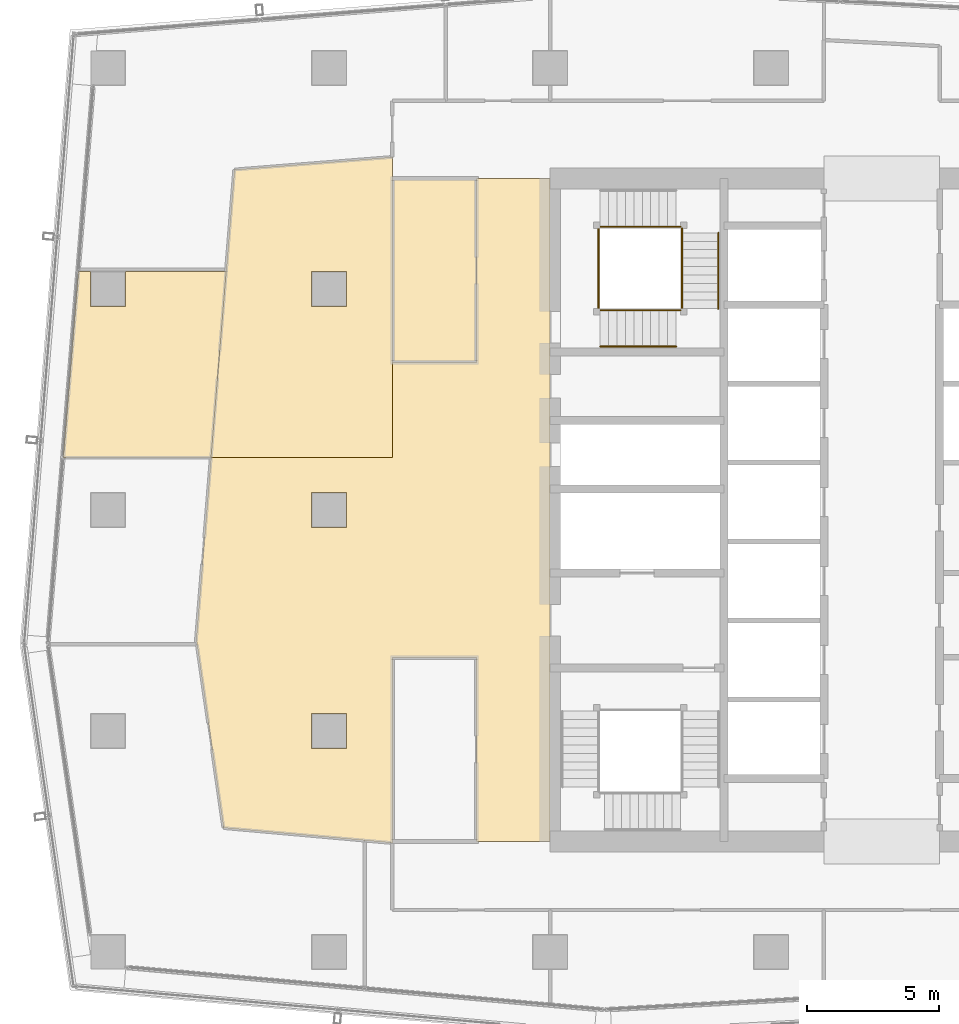
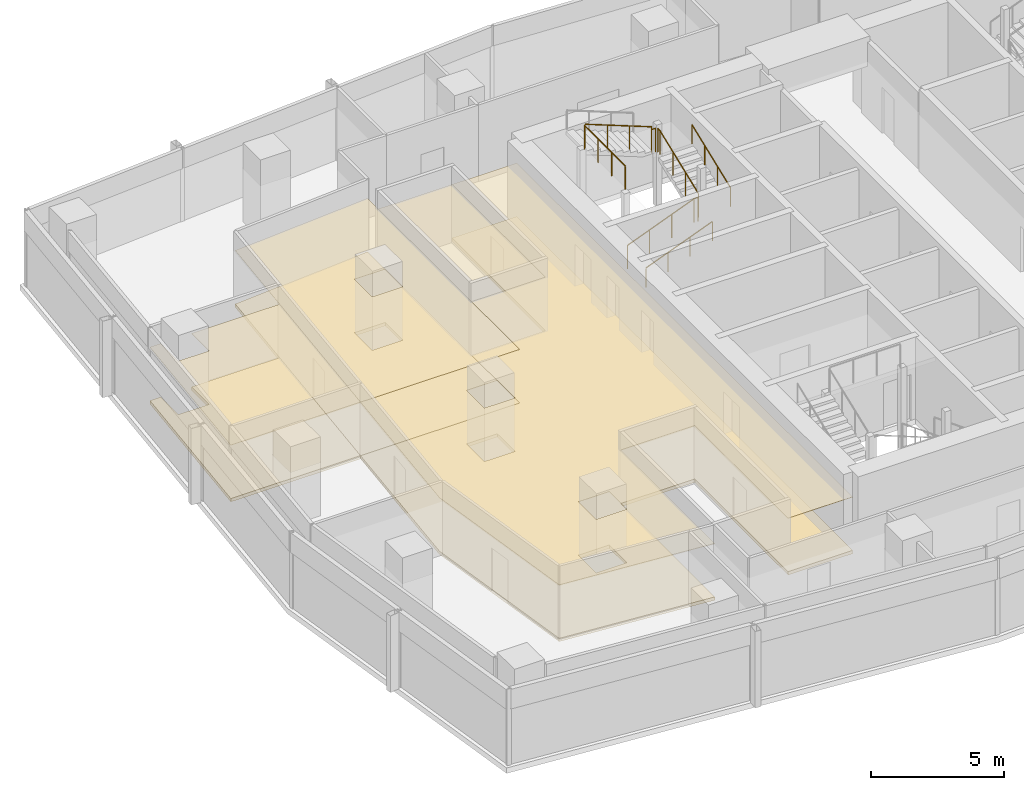
# One storey, part 27 of 29: 9 railings, 7 coverings.
"""IFC4 building model written with IfcOpenShell, lengths in metres."""

from ifc_helpers import new_model, si_unit, direction, frame, origin, origin_2d, place, context, subcontext, project, spatial, polyline, circle, outline, extrude, material, layer, layer_set, type_object, element, save


model = new_model("IFC4")

# Units and contexts
model_context = context("Model", 3, precision=1e-05, world=origin(), true_north=direction((0.0, 1.0)))
body_context = subcontext(model_context, "Body", "Model", "MODEL_VIEW")
ifc_project = project(units=[si_unit("LENGTHUNIT", "METRE"), si_unit("AREAUNIT", "SQUARE_METRE"), si_unit("VOLUMEUNIT", "CUBIC_METRE"), si_unit("PLANEANGLEUNIT", "RADIAN"), si_unit("MASSUNIT", "GRAM", prefix="KILO")], contexts=[model_context])

# Site, building, storey
site_placement = place(None, origin())
site = spatial("IfcSite", under=ifc_project, at=site_placement, CompositionType="ELEMENT")
building_placement = place(site_placement, origin())
building = spatial("IfcBuilding", under=site, at=building_placement, Name="Rekha Terrace Tower", CompositionType="ELEMENT")
storey_placement = place(building_placement, frame((0.0, 0.0, 276.35009765625)))
storey = spatial("IfcBuildingStorey", under=building, at=storey_placement, Name="L70", CompositionType="ELEMENT", Elevation=276.35009765625)

# Coverings
ifc_material_1 = material(Name="Mineral fibre tile in exposed grid", Category="finish")
ifc_layer_1 = layer(ifc_material_1, 0.02001953125)
ifc_layer_set_1 = layer_set([ifc_layer_1], Name="Mineral fibre tile in exposed grid")
covering_type_1 = type_object("IfcCoveringType", Name="CL1 600x1200 office grid ceiling", PredefinedType="CEILING", material=ifc_layer_set_1)
covering_1_placement = place(storey_placement, frame((0.0, 0.0, 2.579833984375)))
element("IfcCovering", 1, at=covering_1_placement, inside=storey, type_object=covering_type_1, Name="Ceiling L70-07", PredefinedType="CEILING", context=body_context, shape_type="SweptSolid", body=[
    extrude(outline(polyline([(7.735107421875, 42.656005859375), (7.26611328125, 42.656005859375), (6.69091796875, 35.590087890625), (12.30908203125, 35.590087890625), (12.884033203125, 42.656005859375), (9.06494140625, 42.656005859375), (9.06494140625, 41.3349609375), (7.735107421875, 41.3349609375), (7.735107421875, 42.656005859375)])), origin(), (0.0, 0.0, 1.0), 0.02001953125),
])
covering_2_placement = place(storey_placement, frame((0.0, 0.0, 2.579833984375)))
element("IfcCovering", 2, at=covering_2_placement, inside=storey, type_object=covering_type_1, Name="Ceiling L70-O1c", PredefinedType="CEILING", context=body_context, shape_type="SweptSolid", body=[
    extrude(outline(polyline([(13.198974609375, 46.530029296875), (12.884033203125, 42.656005859375), (12.30908203125, 35.590087890625), (19.199951171875, 35.590087890625), (19.199951171875, 47.008056640625), (13.198974609375, 46.530029296875)]), holes=[polyline([(17.465087890625, 41.3349609375), (16.135009765625, 41.3349609375), (16.135009765625, 42.6650390625), (17.465087890625, 42.6650390625), (17.465087890625, 41.3349609375)])]), origin(), (0.0, 0.0, 1.0), 0.02001953125),
])
covering_3_placement = place(storey_placement, frame((0.0, 0.0, 2.579833984375)))
element("IfcCovering", 3, at=covering_3_placement, inside=storey, type_object=covering_type_1, Name="Ceiling L70-O2", PredefinedType="CEILING", context=body_context, shape_type="SweptSolid", body=[
    extrude(outline(polyline([(11.7490234375, 28.698974609375), (11.779052734375, 28.491943359375), (12.787109375, 21.51806640625), (18.14990234375, 21.041015625), (19.199951171875, 20.947998046875), (19.199951171875, 28.0), (22.39990234375, 28.0), (22.39990234375, 21.0), (25.199951171875, 21.0), (25.199951171875, 46.199951171875), (22.39990234375, 46.199951171875), (22.39990234375, 39.199951171875), (19.199951171875, 39.199951171875), (19.199951171875, 35.590087890625), (12.30908203125, 35.590087890625), (11.7490234375, 28.698974609375)]), holes=[polyline([(17.465087890625, 25.864990234375), (17.465087890625, 24.534912109375), (16.135009765625, 24.534912109375), (16.135009765625, 25.864990234375), (17.465087890625, 25.864990234375)]), polyline([(17.465087890625, 34.264892578125), (17.465087890625, 32.93505859375), (16.135009765625, 32.93505859375), (16.135009765625, 34.264892578125), (17.465087890625, 34.264892578125)])]), origin(), (0.0, 0.0, 1.0), 0.02001953125),
])
ifc_material_2 = material(Name="Fibre cement board", Category="finish")
ifc_layer_2 = layer(ifc_material_2, 0.014892578125)
ifc_layer_set_2 = layer_set([ifc_layer_2], Name="Fibre cement board")
covering_type_2 = type_object("IfcCoveringType", Name="CL2 moisture-resistant board ceiling", PredefinedType="CEILING", material=ifc_layer_set_2)
covering_4_placement = place(storey_placement, frame((0.0, 0.0, 2.5849609375)))
element("IfcCovering", 4, at=covering_4_placement, inside=storey, type_object=covering_type_2, Name="Ceiling L70-WCF2", PredefinedType="CEILING", context=body_context, shape_type="SweptSolid", body=[
    extrude(outline(polyline([(22.39990234375, 46.199951171875), (19.199951171875, 46.199951171875), (19.199951171875, 39.199951171875), (22.39990234375, 39.199951171875), (22.39990234375, 46.199951171875)])), origin(), (0.0, 0.0, 1.0), 0.014892578125),
])

# Railings
ifc_material_3 = material(Name="Stainless steel balustrade", Category="steel")
railing_type_1 = type_object("IfcRailingType", Name="GR1 1100 stair guard", PredefinedType="GUARDRAIL", material=ifc_material_3)
railing_1_placement = place(storey_placement, frame((27.10009765625, 41.18994140625, 0.125)))
element("IfcRailing", 5, at=railing_1_placement, inside=storey, type_object=railing_type_1, Name="Guard ST4 L70 flight 1", PredefinedType="GUARDRAIL", context=body_context, shape_type="SweptSolid", body=[
    extrude(circle(Radius=0.02392578125, at=origin_2d()), frame((0.0, 0.0, 1.076171875), z_axis=(0.931452331594, 0.0, 0.363863372667), x_axis=(0.0, 1.0, 0.0)), (0.0, 0.0, 1.0), 3.091796875),
    extrude(circle(Radius=0.02099609375, at=origin_2d()), origin(), (0.0, 0.0, 1.0), 1.052001953125),
    extrude(circle(Radius=0.02099609375, at=origin_2d()), frame((0.9599609375, 0.0, 0.375)), (0.0, 0.0, 1.0), 1.052001953125),
    extrude(circle(Radius=0.02099609375, at=origin_2d()), frame((1.919921875, 0.0, 0.75)), (0.0, 0.0, 1.0), 1.052001953125),
    extrude(circle(Radius=0.02099609375, at=origin_2d()), frame((2.8798828125, 0.0, 1.125)), (0.0, 0.0, 1.0), 1.052001953125),
])
railing_2_placement = place(storey_placement, frame((30.2099609375, 41.25, 1.375)))
element("IfcRailing", 6, at=railing_2_placement, inside=storey, type_object=railing_type_1, Name="Guard ST4 L70 flight 2", PredefinedType="GUARDRAIL", context=body_context, shape_type="SweptSolid", body=[
    extrude(circle(Radius=0.02392578125, at=origin_2d()), frame((0.0, 0.0, 1.076171875), z_axis=(0.0, 0.931452331594, 0.363863372667), x_axis=(-1.0, 0.0, 0.0)), (0.0, 0.0, 1.0), 3.091796875),
    extrude(circle(Radius=0.02099609375, at=origin_2d()), origin(), (0.0, 0.0, 1.0), 1.052001953125),
    extrude(circle(Radius=0.02099609375, at=origin_2d()), frame((0.0, 0.9599609375, 0.375)), (0.0, 0.0, 1.0), 1.052001953125),
    extrude(circle(Radius=0.02099609375, at=origin_2d()), frame((0.0, 1.919921875, 0.75)), (0.0, 0.0, 1.0), 1.052001953125),
    extrude(circle(Radius=0.02099609375, at=origin_2d()), frame((0.0, 2.8798828125, 1.125)), (0.0, 0.0, 1.0), 1.052001953125),
])
railing_3_placement = place(storey_placement, frame((29.97998046875, 44.360107421875, 2.625)))
element("IfcRailing", 7, at=railing_3_placement, inside=storey, type_object=railing_type_1, Name="Guard ST4 L70 flight 3", PredefinedType="GUARDRAIL", context=body_context, shape_type="SweptSolid", body=[
    extrude(circle(Radius=0.02392578125, at=origin_2d()), frame((0.0, 0.0, 1.076171875), z_axis=(-0.931452331594, 0.0, 0.363863372667), x_axis=(0.0, -1.0, 0.0)), (0.0, 0.0, 1.0), 3.091796875),
    extrude(circle(Radius=0.02099609375, at=origin_2d()), origin(), (0.0, 0.0, 1.0), 1.052001953125),
    extrude(circle(Radius=0.02099609375, at=origin_2d()), frame((-0.9599609375, 0.0, 0.375)), (0.0, 0.0, 1.0), 1.052001953125),
    extrude(circle(Radius=0.02099609375, at=origin_2d()), frame((-1.919921875, 0.0, 0.75)), (0.0, 0.0, 1.0), 1.052001953125),
    extrude(circle(Radius=0.02099609375, at=origin_2d()), frame((-2.8798828125, 0.0, 1.125)), (0.0, 0.0, 1.0), 1.052001953125),
])
railing_4_placement = place(storey_placement, frame((29.97998046875, 41.18994140625, 1.25)))
element("IfcRailing", 8, at=railing_4_placement, inside=storey, type_object=railing_type_1, Name="Guard ST4 L70 landing 1", PredefinedType="GUARDRAIL", context=body_context, shape_type="SweptSolid", body=[
    extrude(circle(Radius=0.02392578125, at=origin_2d()), frame((0.0, 0.0, 1.076171875), z_axis=(1.0, 0.0, 0.0), x_axis=(0.0, 1.0, 0.0)), (0.0, 0.0, 1.0), 0.169921875),
    extrude(circle(Radius=0.02099609375, at=origin_2d()), origin(), (0.0, 0.0, 1.0), 1.052001953125),
    extrude(circle(Radius=0.02099609375, at=origin_2d()), frame((0.169921875, 0.0, 0.0)), (0.0, 0.0, 1.0), 1.052001953125),
])
railing_5_placement = place(storey_placement, frame((30.2099609375, 44.1298828125, 2.5)))
element("IfcRailing", 9, at=railing_5_placement, inside=storey, type_object=railing_type_1, Name="Guard ST4 L70 landing 2", PredefinedType="GUARDRAIL", context=body_context, shape_type="SweptSolid", body=[
    extrude(circle(Radius=0.02392578125, at=origin_2d()), frame((0.0, 0.0, 1.076171875), z_axis=(0.0, 1.0, 0.0), x_axis=(-1.0, 0.0, 0.0)), (0.0, 0.0, 1.0), 0.170166015625),
    extrude(circle(Radius=0.02099609375, at=origin_2d()), origin(), (0.0, 0.0, 1.0), 1.052001953125),
    extrude(circle(Radius=0.02099609375, at=origin_2d()), frame((0.0, 0.170166015625, 0.0)), (0.0, 0.0, 1.0), 1.052001953125),
])
railing_6_placement = place(storey_placement, frame((29.97998046875, 44.360107421875, 2.5)))
element("IfcRailing", 10, at=railing_6_placement, inside=storey, type_object=railing_type_1, Name="Guard ST4 L70 landing 3", PredefinedType="GUARDRAIL", context=body_context, shape_type="SweptSolid", body=[
    extrude(circle(Radius=0.02392578125, at=origin_2d()), frame((0.0, 0.0, 1.076171875), z_axis=(1.0, 0.0, 0.0), x_axis=(0.0, 1.0, 0.0)), (0.0, 0.0, 1.0), 0.169921875),
    extrude(circle(Radius=0.02099609375, at=origin_2d()), origin(), (0.0, 0.0, 1.0), 1.052001953125),
    extrude(circle(Radius=0.02099609375, at=origin_2d()), frame((0.169921875, 0.0, 0.0)), (0.0, 0.0, 1.0), 1.052001953125),
])
railing_7_placement = place(storey_placement, frame((27.0400390625, 41.25, 3.75)))
element("IfcRailing", 11, at=railing_7_placement, inside=storey, type_object=railing_type_1, Name="Guard ST4 L70 landing 4", PredefinedType="GUARDRAIL", context=body_context, shape_type="SweptSolid", body=[
    extrude(circle(Radius=0.02392578125, at=origin_2d()), frame((0.0, 0.0, 1.076171875), z_axis=(0.0, 1.0, 0.0), x_axis=(-1.0, 0.0, 0.0)), (0.0, 0.0, 1.0), 3.050048828125),
    extrude(circle(Radius=0.02099609375, at=origin_2d()), origin(), (0.0, 0.0, 1.0), 1.052001953125),
    extrude(circle(Radius=0.02099609375, at=origin_2d()), frame((0.0, 1.0166015625, 0.0)), (0.0, 0.0, 1.0), 1.052001953125),
    extrude(circle(Radius=0.02099609375, at=origin_2d()), frame((0.0, 2.033447265625, 0.0)), (0.0, 0.0, 1.0), 1.052001953125),
    extrude(circle(Radius=0.02099609375, at=origin_2d()), frame((0.0, 3.050048828125, 0.0)), (0.0, 0.0, 1.0), 1.052001953125),
])
ifc_material_4 = material(Name="Stainless steel tube", Category="steel")
railing_type_2 = type_object("IfcRailingType", Name="HR1 900 stair handrail", PredefinedType="HANDRAIL", material=ifc_material_4)
railing_8_placement = place(storey_placement, frame((27.10009765625, 39.81005859375, 0.125)))
element("IfcRailing", 12, at=railing_8_placement, inside=storey, type_object=railing_type_2, Name="Handrail ST4 L70 flight 1", PredefinedType="HANDRAIL", context=body_context, shape_type="SweptSolid", body=[
    extrude(circle(Radius=0.02392578125, at=origin_2d()), frame((0.0, 0.0, 0.8759765625), z_axis=(0.931452331594, 0.0, 0.363863372667), x_axis=(0.0, 1.0, 0.0)), (0.0, 0.0, 1.0), 3.091796875),
    extrude(circle(Radius=0.02099609375, at=origin_2d()), origin(), (0.0, 0.0, 1.0), 0.851806640625),
    extrude(circle(Radius=0.02099609375, at=origin_2d()), frame((0.9599609375, 0.0, 0.375)), (0.0, 0.0, 1.0), 0.851806640625),
    extrude(circle(Radius=0.02099609375, at=origin_2d()), frame((1.919921875, 0.0, 0.75)), (0.0, 0.0, 1.0), 0.851806640625),
    extrude(circle(Radius=0.02099609375, at=origin_2d()), frame((2.8798828125, 0.0, 1.125)), (0.0, 0.0, 1.0), 0.851806640625),
])
railing_9_placement = place(storey_placement, frame((31.590087890625, 41.25, 1.375)))
element("IfcRailing", 13, at=railing_9_placement, inside=storey, type_object=railing_type_2, Name="Handrail ST4 L70 flight 2", PredefinedType="HANDRAIL", context=body_context, shape_type="SweptSolid", body=[
    extrude(circle(Radius=0.02392578125, at=origin_2d()), frame((0.0, 0.0, 0.8759765625), z_axis=(0.0, 0.931452331594, 0.363863372667), x_axis=(-1.0, 0.0, 0.0)), (0.0, 0.0, 1.0), 3.091796875),
    extrude(circle(Radius=0.02099609375, at=origin_2d()), origin(), (0.0, 0.0, 1.0), 0.851806640625),
    extrude(circle(Radius=0.02099609375, at=origin_2d()), frame((0.0, 0.9599609375, 0.375)), (0.0, 0.0, 1.0), 0.851806640625),
    extrude(circle(Radius=0.02099609375, at=origin_2d()), frame((0.0, 1.919921875, 0.75)), (0.0, 0.0, 1.0), 0.851806640625),
    extrude(circle(Radius=0.02099609375, at=origin_2d()), frame((0.0, 2.8798828125, 1.125)), (0.0, 0.0, 1.0), 0.851806640625),
])

# Coverings
ifc_material_5 = material(Name="Calcium sulphate panels on steel pedestals", Category="steel")
ifc_layer_3 = layer(ifc_material_5, 0.14990234375)
ifc_layer_set_3 = layer_set([ifc_layer_3], Name="Calcium sulphate panels on steel pedestals")
covering_type_3 = type_object("IfcCoveringType", Name="RF1 150 raised access floor", PredefinedType="FLOORING", material=ifc_layer_set_3)
covering_5_placement = place(storey_placement, origin())
element("IfcCovering", 14, at=covering_5_placement, inside=storey, type_object=covering_type_3, Name="Raised floor L70-07", PredefinedType="FLOORING", context=body_context, shape_type="SweptSolid", body=[
    extrude(outline(polyline([(7.735107421875, 42.656005859375), (7.26611328125, 42.656005859375), (6.69091796875, 35.590087890625), (12.30908203125, 35.590087890625), (12.884033203125, 42.656005859375), (9.06494140625, 42.656005859375), (9.06494140625, 41.3349609375), (7.735107421875, 41.3349609375), (7.735107421875, 42.656005859375)])), origin(), (0.0, 0.0, 1.0), 0.14990234375),
])
covering_6_placement = place(storey_placement, origin())
element("IfcCovering", 15, at=covering_6_placement, inside=storey, type_object=covering_type_3, Name="Raised floor L70-O1c", PredefinedType="FLOORING", context=body_context, shape_type="SweptSolid", body=[
    extrude(outline(polyline([(13.198974609375, 46.530029296875), (12.884033203125, 42.656005859375), (12.30908203125, 35.590087890625), (19.199951171875, 35.590087890625), (19.199951171875, 47.008056640625), (13.198974609375, 46.530029296875)]), holes=[polyline([(17.465087890625, 41.3349609375), (16.135009765625, 41.3349609375), (16.135009765625, 42.6650390625), (17.465087890625, 42.6650390625), (17.465087890625, 41.3349609375)])]), origin(), (0.0, 0.0, 1.0), 0.14990234375),
])
covering_7_placement = place(storey_placement, origin())
element("IfcCovering", 16, at=covering_7_placement, inside=storey, type_object=covering_type_3, Name="Raised floor L70-O2", PredefinedType="FLOORING", context=body_context, shape_type="SweptSolid", body=[
    extrude(outline(polyline([(11.7490234375, 28.698974609375), (11.779052734375, 28.491943359375), (12.787109375, 21.51806640625), (18.14990234375, 21.041015625), (19.199951171875, 20.947998046875), (19.199951171875, 28.0), (22.39990234375, 28.0), (22.39990234375, 21.0), (25.199951171875, 21.0), (25.199951171875, 46.199951171875), (22.39990234375, 46.199951171875), (22.39990234375, 39.199951171875), (19.199951171875, 39.199951171875), (19.199951171875, 35.590087890625), (12.30908203125, 35.590087890625), (11.7490234375, 28.698974609375)]), holes=[polyline([(17.465087890625, 25.864990234375), (17.465087890625, 24.534912109375), (16.135009765625, 24.534912109375), (16.135009765625, 25.864990234375), (17.465087890625, 25.864990234375)]), polyline([(17.465087890625, 34.264892578125), (17.465087890625, 32.93505859375), (16.135009765625, 32.93505859375), (16.135009765625, 34.264892578125), (17.465087890625, 34.264892578125)])]), origin(), (0.0, 0.0, 1.0), 0.14990234375),
])

save(model, "model.ifc")
